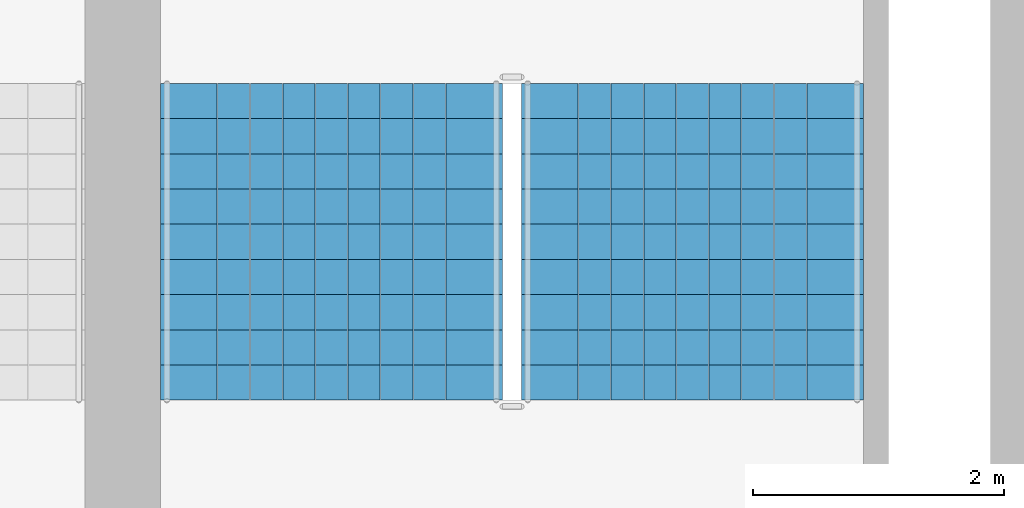
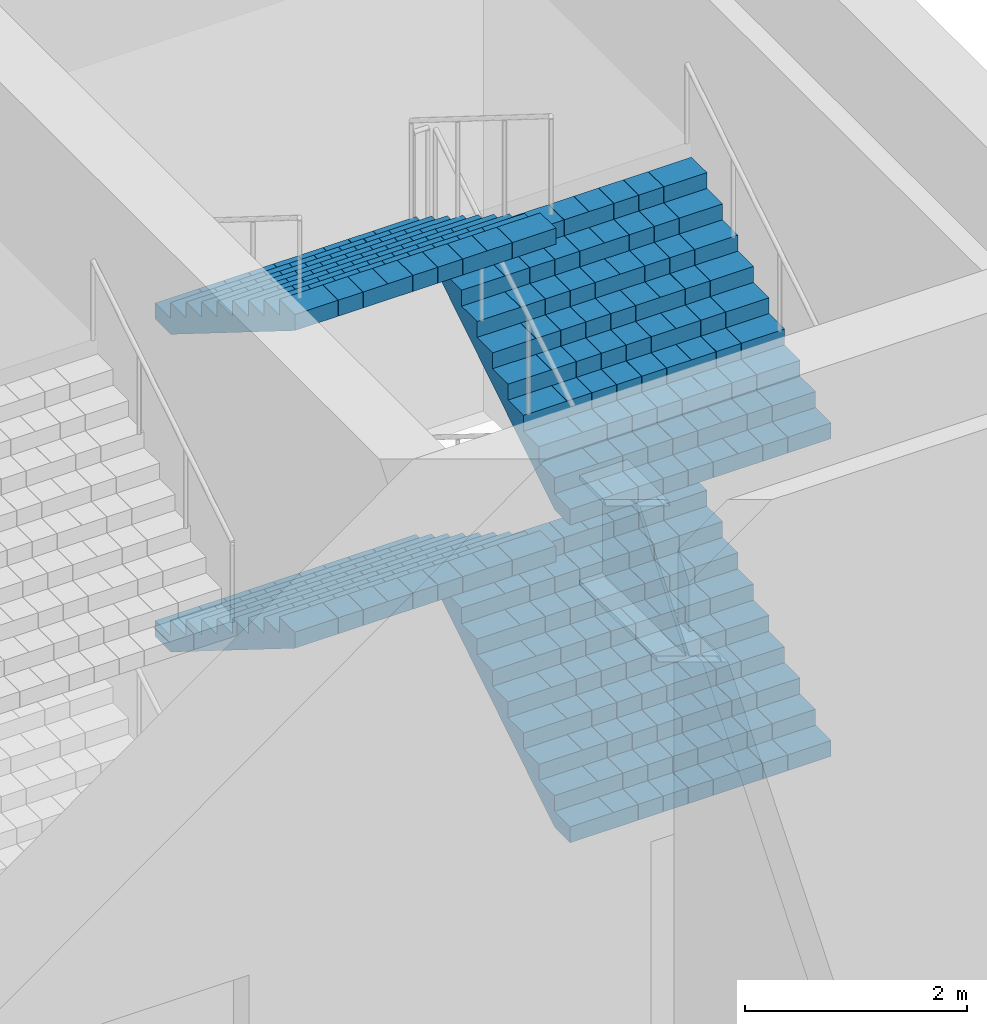
# One storey, part 53 of 62: 4 stair flights, 1 element without a shape of its own.
"""IFC4 building model written with IfcOpenShell, lengths in metres."""

import ifcopenshell
import ifcopenshell.guid

model = None  # the IFC model being written
_history = None  # IfcOwnerHistory: only IFC2X3 demands one
_inside = {}  # id of a spatial element -> (the spatial element, [elements in it])
_under = {}  # id of a project, library or spatial element -> (it, [spatial elements below it])
_declared = {}  # id of a project -> (the project, [libraries it declares])
_typed = {}  # id of a type object -> (the type object, [elements of that type])
_made_of = {}  # id of a material, layer set ... -> (it, [elements and type objects made of it])


def new_model(schema):
    """Start an empty IFC model of exactly this schema.

    Asked for "IFC4X3", IfcOpenShell would pick the latest addendum, in which some entities
    have other attributes; the version numbers below select the first issue.
    IFC2X3 requires an IfcOwnerHistory on every rooted entity: one is made here for all.
    """
    global model, _history
    if schema == "IFC4X3":
        model = ifcopenshell.file(schema_version=(4, 3, 0, 0))
    else:
        model = ifcopenshell.file(schema=schema)
    _inside.clear()
    _under.clear()
    _declared.clear()
    _typed.clear()
    _made_of.clear()
    _history = None
    if model.schema == "IFC2X3":
        org = make("IfcOrganization", Name="unknown")
        user = make(
            "IfcPersonAndOrganization",
            ThePerson=make("IfcPerson", FamilyName="unknown"),
            TheOrganization=org,
        )
        app = make(
            "IfcApplication",
            ApplicationDeveloper=org,
            Version="unknown",
            ApplicationFullName="unknown",
            ApplicationIdentifier="unknown",
        )
        _history = make(
            "IfcOwnerHistory",
            OwningUser=user,
            OwningApplication=app,
            ChangeAction="ADDED",
            CreationDate=0,
        )
    return model


def make(cls, **values):
    """One entity of the class cls with the attributes given. An attribute that is None is left unset."""
    return model.create_entity(
        cls, **{name: value for name, value in values.items() if value is not None}
    )


def rooted(cls, **values):
    """An entity with a GlobalId (a new one), such as an element, a storey or a relation."""
    return make(cls, GlobalId=ifcopenshell.guid.new(), OwnerHistory=_history, **values)


def si_unit(unit_type, name, prefix=None):
    """IfcSIUnit, for example si_unit("LENGTHUNIT", "METRE", prefix="MILLI")."""
    return make("IfcSIUnit", UnitType=unit_type, Prefix=prefix, Name=name)


def assignment(units):
    """IfcUnitAssignment: the units of a project."""
    return None if units is None else make("IfcUnitAssignment", Units=units)


def point(xyz):
    """IfcCartesianPoint."""
    return None if xyz is None else make("IfcCartesianPoint", Coordinates=xyz)


def direction(xyz):
    """IfcDirection."""
    return None if xyz is None else make("IfcDirection", DirectionRatios=xyz)


def frame(location, z_axis=None, x_axis=None):
    """IfcAxis2Placement3D, a coordinate frame: its origin and axes. An axis left out is left unset."""
    return make(
        "IfcAxis2Placement3D",
        Location=point(location),
        Axis=direction(z_axis),
        RefDirection=direction(x_axis),
    )


def origin():
    """The frame at (0, 0, 0) with its axes left unset."""
    return frame((0.0, 0.0, 0.0))


def place(relative_to, where):
    """IfcLocalPlacement: puts the frame where relative to a parent placement (None: the world)."""
    return make(
        "IfcLocalPlacement", PlacementRelTo=relative_to, RelativePlacement=where
    )


def context(
    kind, dimensions, precision=None, world=None, true_north=None, identifier=None
):
    """IfcGeometricRepresentationContext, for example the 3D "Model" context."""
    return make(
        "IfcGeometricRepresentationContext",
        ContextIdentifier=identifier,
        ContextType=kind,
        CoordinateSpaceDimension=dimensions,
        Precision=precision,
        WorldCoordinateSystem=world,
        TrueNorth=true_north,
    )


def subcontext(parent, identifier, kind, view, scale=None):
    """IfcGeometricRepresentationSubContext, for example "Body" below "Model"."""
    return make(
        "IfcGeometricRepresentationSubContext",
        ContextIdentifier=identifier,
        ContextType=kind,
        ParentContext=parent,
        TargetScale=scale,
        TargetView=view,
    )


def project(units=None, contexts=None):
    """IfcProject with its units and contexts."""
    return rooted(
        "IfcProject",
        Name="project",
        RepresentationContexts=contexts,
        UnitsInContext=assignment(units),
    )


def spatial(cls, under=None, at=None, **own):
    """A site, building, storey or space (cls), placed at a placement, below another one or the project."""
    s = rooted(cls, ObjectPlacement=at, **own)
    if under is not None:
        _under.setdefault(under.id(), (under, []))[1].append(s)
    return s


def polyline(points):
    """IfcPolyline through the points."""
    return make("IfcPolyline", Points=[point(p) for p in points])


def outline(outer, holes=None, kind="AREA"):
    """IfcArbitraryClosedProfileDef: a profile drawn as a closed curve; with holes, ...WithVoids."""
    if holes is None:
        return make("IfcArbitraryClosedProfileDef", ProfileType=kind, OuterCurve=outer)
    return make(
        "IfcArbitraryProfileDefWithVoids",
        ProfileType=kind,
        OuterCurve=outer,
        InnerCurves=holes,
    )


def extrude(swept, where, along, depth):
    """IfcExtrudedAreaSolid: the profile swept, set in the frame where, extruded along a direction by depth."""
    return make(
        "IfcExtrudedAreaSolid",
        SweptArea=swept,
        Position=where,
        ExtrudedDirection=direction(along),
        Depth=depth,
    )


def shape(context_of_items, identifier, shape_type, items):
    """IfcShapeRepresentation: the items that make up one representation, for example the "Body"."""
    return make(
        "IfcShapeRepresentation",
        ContextOfItems=context_of_items,
        RepresentationIdentifier=identifier,
        RepresentationType=shape_type,
        Items=items,
    )


def material(Name=None, Category=None):
    """IfcMaterial."""
    return make("IfcMaterial", Name=Name, Category=Category)


def made_of(thing, what):
    """Note that an element or type object is made of a material, layer set ...; save() writes the relation."""
    if what is not None:
        _made_of.setdefault(what.id(), (what, []))[1].append(thing)
    return thing


def type_object(cls, material=None, **own):
    """A type object (cls), such as IfcWallType, which elements share."""
    return made_of(rooted(cls, **own), material)


def element(
    cls,
    number,
    at=None,
    inside=None,
    cuts=None,
    type_object=None,
    material=None,
    context=None,
    identifier="Body",
    shape_type=None,
    held_by="IfcProductDefinitionShape",
    body=None,
    shapes=None,
    **own,
):
    """One element of the class cls, such as IfcWall. Its Tag is "e" and its number.

    at: its placement. inside: the storey or other place that contains it. cuts: it is an
    opening in that element (IfcRelVoidsElement). A single representation is given by context,
    identifier, shape_type and body (its items); several are given by shapes. held_by: the class
    of the entity that holds the representations. save() writes the other relations.
    """
    e = rooted(cls, Tag="e%d" % number, ObjectPlacement=at, **own)
    if body is not None:
        shapes = [shape(context, identifier, shape_type, body)]
    if shapes is not None:
        e.Representation = make(held_by, Representations=shapes)
    if inside is not None:
        _inside.setdefault(inside.id(), (inside, []))[1].append(e)
    if cuts is not None:
        rooted(
            "IfcRelVoidsElement", RelatingBuildingElement=cuts, RelatedOpeningElement=e
        )
    if type_object is not None:
        _typed.setdefault(type_object.id(), (type_object, []))[1].append(e)
    return made_of(e, material)


def aggregate(whole, parts):
    """IfcRelAggregates: a whole, such as a stair, and the parts it consists of."""
    return rooted("IfcRelAggregates", RelatingObject=whole, RelatedObjects=parts)


def save(model, path):
    """Write the relations noted so far, then the file.

    IfcRelAggregates (storeys below a building ...), IfcRelContainedInSpatialStructure (elements
    in a storey), IfcRelDefinesByType, IfcRelAssociatesMaterial and IfcRelDeclares: one each for
    every whole, place, type object, material and project.
    """
    for whole, parts in _under.values():
        aggregate(whole, parts)
    for where, things in _inside.values():
        rooted(
            "IfcRelContainedInSpatialStructure",
            RelatedElements=things,
            RelatingStructure=where,
        )
    for kind, things in _typed.values():
        rooted("IfcRelDefinesByType", RelatedObjects=things, RelatingType=kind)
    for what, things in _made_of.values():
        rooted("IfcRelAssociatesMaterial", RelatedObjects=things, RelatingMaterial=what)
    for by, libraries in _declared.values():
        rooted("IfcRelDeclares", RelatingContext=by, RelatedDefinitions=libraries)
    model.write(path)


model = new_model("IFC4")

# Units and contexts
model_context = context("Model", 3, precision=1e-05, world=origin(), true_north=direction((0.0, 1.0)))
body_context = subcontext(model_context, "Body", "Model", "MODEL_VIEW")
ifc_project = project(units=[si_unit("LENGTHUNIT", "METRE"), si_unit("AREAUNIT", "SQUARE_METRE"), si_unit("VOLUMEUNIT", "CUBIC_METRE"), si_unit("PLANEANGLEUNIT", "RADIAN"), si_unit("MASSUNIT", "GRAM", prefix="KILO")], contexts=[model_context])

# Site, building, storey
site_placement = place(None, origin())
site = spatial("IfcSite", under=ifc_project, at=site_placement, CompositionType="ELEMENT")
building_placement = place(site_placement, origin())
building = spatial("IfcBuilding", under=site, at=building_placement, Name="Corbelhall Arena Tower", CompositionType="ELEMENT")
storey_placement = place(building_placement, frame((0.0, 0.0, 12.0)))
storey = spatial("IfcBuildingStorey", under=building, at=storey_placement, Name="L01", CompositionType="ELEMENT", Elevation=12.0)

# Stair, stair flights
ifc_material = material(Name="Reinforced concrete C40/50", Category="concrete")
stair_type = type_object("IfcStairType", Name="AR-EXIT-STAIR", PredefinedType="HALF_TURN_STAIR", material=ifc_material)
stair_placement = place(storey_placement, origin())
stair = element("IfcStair", 1, at=stair_placement, inside=storey, type_object=stair_type, Name="L01 exit stair AS2", PredefinedType="HALF_TURN_STAIR")
stair_flight_type = type_object("IfcStairFlightType", Name="AR-EXIT-FLIGHT", PredefinedType="STRAIGHT", material=ifc_material)
stair_flight_1_placement = place(storey_placement, frame((45.030029296875, 27.320068359375, 0.0), z_axis=(0.0, 0.0, 1.0), x_axis=(0.0, 1.0, 0.0)))
stair_flight_1 = element("IfcStairFlight", 2, at=stair_flight_1_placement, type_object=stair_flight_type, Name="AS2 flight 1", NumberOfRisers=10, NumberOfTreads=9, PredefinedType="STRAIGHT", RiserHeight=0.175, TreadLength=0.28, context=body_context, shape_type="SweptSolid", body=[
    extrude(outline(polyline([(0.0, 0.0), (0.0, 0.175048828125), (0.280029296875, 0.175048828125), (0.280029296875, 0.35009765625), (0.56005859375, 0.35009765625), (0.56005859375, 0.52490234375), (0.840087890625, 0.52490234375), (0.840087890625, 0.699951171875), (1.1201171875, 0.699951171875), (1.1201171875, 0.875), (1.39990234375, 0.875), (1.39990234375, 1.050048828125), (1.679931640625, 1.050048828125), (1.679931640625, 1.22509765625), (1.9599609375, 1.22509765625), (1.9599609375, 1.39990234375), (2.239990234375, 1.39990234375), (2.239990234375, 1.574951171875), (2.52001953125, 1.574951171875), (2.52001953125, 1.75), (2.52001953125, 1.398193359375), (0.28271484375, 0.0), (0.0, 0.0)])), frame((0.0, 1.35986328125, 0.0), z_axis=(0.0, -1.0, 0.0), x_axis=(1.0, 0.0, 0.0)), (0.0, 0.0, 1.0), 0.449951171875),
    extrude(outline(polyline([(0.0, 0.0), (0.0, 0.175048828125), (0.280029296875, 0.175048828125), (0.280029296875, 0.35009765625), (0.56005859375, 0.35009765625), (0.56005859375, 0.52490234375), (0.840087890625, 0.52490234375), (0.840087890625, 0.699951171875), (1.1201171875, 0.699951171875), (1.1201171875, 0.875), (1.39990234375, 0.875), (1.39990234375, 1.050048828125), (1.679931640625, 1.050048828125), (1.679931640625, 1.22509765625), (1.9599609375, 1.22509765625), (1.9599609375, 1.39990234375), (2.239990234375, 1.39990234375), (2.239990234375, 1.574951171875), (2.52001953125, 1.574951171875), (2.52001953125, 1.75), (2.52001953125, 1.398193359375), (0.28271484375, 0.0), (0.0, 0.0)])), frame((0.0, 0.906005859375, 0.0), z_axis=(0.0, -1.0, 0.0), x_axis=(1.0, 0.0, 0.0)), (0.0, 0.0, 1.0), 0.25537109375),
    extrude(outline(polyline([(0.0, 0.0), (0.0, 0.175048828125), (0.280029296875, 0.175048828125), (0.280029296875, 0.35009765625), (0.56005859375, 0.35009765625), (0.56005859375, 0.52490234375), (0.840087890625, 0.52490234375), (0.840087890625, 0.699951171875), (1.1201171875, 0.699951171875), (1.1201171875, 0.875), (1.39990234375, 0.875), (1.39990234375, 1.050048828125), (1.679931640625, 1.050048828125), (1.679931640625, 1.22509765625), (1.9599609375, 1.22509765625), (1.9599609375, 1.39990234375), (2.239990234375, 1.39990234375), (2.239990234375, 1.574951171875), (2.52001953125, 1.574951171875), (2.52001953125, 1.75), (2.52001953125, 1.398193359375), (0.28271484375, 0.0), (0.0, 0.0)])), frame((0.0, 0.646484375, 0.0), z_axis=(0.0, -1.0, 0.0), x_axis=(1.0, 0.0, 0.0)), (0.0, 0.0, 1.0), 0.25537109375),
    extrude(outline(polyline([(0.0, 0.0), (0.0, 0.175048828125), (0.280029296875, 0.175048828125), (0.280029296875, 0.35009765625), (0.56005859375, 0.35009765625), (0.56005859375, 0.52490234375), (0.840087890625, 0.52490234375), (0.840087890625, 0.699951171875), (1.1201171875, 0.699951171875), (1.1201171875, 0.875), (1.39990234375, 0.875), (1.39990234375, 1.050048828125), (1.679931640625, 1.050048828125), (1.679931640625, 1.22509765625), (1.9599609375, 1.22509765625), (1.9599609375, 1.39990234375), (2.239990234375, 1.39990234375), (2.239990234375, 1.574951171875), (2.52001953125, 1.574951171875), (2.52001953125, 1.75), (2.52001953125, 1.398193359375), (0.28271484375, 0.0), (0.0, 0.0)])), frame((0.0, 0.38720703125, 0.0), z_axis=(0.0, -1.0, 0.0), x_axis=(1.0, 0.0, 0.0)), (0.0, 0.0, 1.0), 0.25537109375),
    extrude(outline(polyline([(0.0, 0.0), (0.0, 0.175048828125), (0.280029296875, 0.175048828125), (0.280029296875, 0.35009765625), (0.56005859375, 0.35009765625), (0.56005859375, 0.52490234375), (0.840087890625, 0.52490234375), (0.840087890625, 0.699951171875), (1.1201171875, 0.699951171875), (1.1201171875, 0.875), (1.39990234375, 0.875), (1.39990234375, 1.050048828125), (1.679931640625, 1.050048828125), (1.679931640625, 1.22509765625), (1.9599609375, 1.22509765625), (1.9599609375, 1.39990234375), (2.239990234375, 1.39990234375), (2.239990234375, 1.574951171875), (2.52001953125, 1.574951171875), (2.52001953125, 1.75), (2.52001953125, 1.398193359375), (0.28271484375, 0.0), (0.0, 0.0)])), frame((0.0, 0.127685546875, 0.0), z_axis=(0.0, -1.0, 0.0), x_axis=(1.0, 0.0, 0.0)), (0.0, 0.0, 1.0), 0.25537109375),
    extrude(outline(polyline([(0.0, 0.0), (0.0, 0.175048828125), (0.280029296875, 0.175048828125), (0.280029296875, 0.35009765625), (0.56005859375, 0.35009765625), (0.56005859375, 0.52490234375), (0.840087890625, 0.52490234375), (0.840087890625, 0.699951171875), (1.1201171875, 0.699951171875), (1.1201171875, 0.875), (1.39990234375, 0.875), (1.39990234375, 1.050048828125), (1.679931640625, 1.050048828125), (1.679931640625, 1.22509765625), (1.9599609375, 1.22509765625), (1.9599609375, 1.39990234375), (2.239990234375, 1.39990234375), (2.239990234375, 1.574951171875), (2.52001953125, 1.574951171875), (2.52001953125, 1.75), (2.52001953125, 1.398193359375), (0.28271484375, 0.0), (0.0, 0.0)])), frame((0.0, -0.131591796875, 0.0), z_axis=(0.0, -1.0, 0.0), x_axis=(1.0, 0.0, 0.0)), (0.0, 0.0, 1.0), 0.25537109375),
    extrude(outline(polyline([(0.0, 0.0), (0.0, 0.175048828125), (0.280029296875, 0.175048828125), (0.280029296875, 0.35009765625), (0.56005859375, 0.35009765625), (0.56005859375, 0.52490234375), (0.840087890625, 0.52490234375), (0.840087890625, 0.699951171875), (1.1201171875, 0.699951171875), (1.1201171875, 0.875), (1.39990234375, 0.875), (1.39990234375, 1.050048828125), (1.679931640625, 1.050048828125), (1.679931640625, 1.22509765625), (1.9599609375, 1.22509765625), (1.9599609375, 1.39990234375), (2.239990234375, 1.39990234375), (2.239990234375, 1.574951171875), (2.52001953125, 1.574951171875), (2.52001953125, 1.75), (2.52001953125, 1.398193359375), (0.28271484375, 0.0), (0.0, 0.0)])), frame((0.0, -0.39111328125, 0.0), z_axis=(0.0, -1.0, 0.0), x_axis=(1.0, 0.0, 0.0)), (0.0, 0.0, 1.0), 0.25537109375),
    extrude(outline(polyline([(0.0, 0.0), (0.0, 0.175048828125), (0.280029296875, 0.175048828125), (0.280029296875, 0.35009765625), (0.56005859375, 0.35009765625), (0.56005859375, 0.52490234375), (0.840087890625, 0.52490234375), (0.840087890625, 0.699951171875), (1.1201171875, 0.699951171875), (1.1201171875, 0.875), (1.39990234375, 0.875), (1.39990234375, 1.050048828125), (1.679931640625, 1.050048828125), (1.679931640625, 1.22509765625), (1.9599609375, 1.22509765625), (1.9599609375, 1.39990234375), (2.239990234375, 1.39990234375), (2.239990234375, 1.574951171875), (2.52001953125, 1.574951171875), (2.52001953125, 1.75), (2.52001953125, 1.398193359375), (0.28271484375, 0.0), (0.0, 0.0)])), frame((0.0, -0.650634765625, 0.0), z_axis=(0.0, -1.0, 0.0), x_axis=(1.0, 0.0, 0.0)), (0.0, 0.0, 1.0), 0.25537109375),
    extrude(outline(polyline([(0.0, 0.0), (0.0, 0.175048828125), (0.280029296875, 0.175048828125), (0.280029296875, 0.35009765625), (0.56005859375, 0.35009765625), (0.56005859375, 0.52490234375), (0.840087890625, 0.52490234375), (0.840087890625, 0.699951171875), (1.1201171875, 0.699951171875), (1.1201171875, 0.875), (1.39990234375, 0.875), (1.39990234375, 1.050048828125), (1.679931640625, 1.050048828125), (1.679931640625, 1.22509765625), (1.9599609375, 1.22509765625), (1.9599609375, 1.39990234375), (2.239990234375, 1.39990234375), (2.239990234375, 1.574951171875), (2.52001953125, 1.574951171875), (2.52001953125, 1.75), (2.52001953125, 1.398193359375), (0.28271484375, 0.0), (0.0, 0.0)])), frame((0.0, -0.909912109375, 0.0), z_axis=(0.0, -1.0, 0.0), x_axis=(1.0, 0.0, 0.0)), (0.0, 0.0, 1.0), 0.449951171875),
])
stair_flight_2_placement = place(storey_placement, frame((42.159912109375, 29.840087890625, 1.75), z_axis=(0.0, 0.0, 1.0), x_axis=(0.0, -1.0, 0.0)))
stair_flight_2 = element("IfcStairFlight", 3, at=stair_flight_2_placement, type_object=stair_flight_type, Name="AS2 flight 2", NumberOfRisers=10, NumberOfTreads=9, PredefinedType="STRAIGHT", RiserHeight=0.175, TreadLength=0.28, context=body_context, shape_type="SweptSolid", body=[
    extrude(outline(polyline([(0.0, 0.0), (0.0, 0.175048828125), (0.280029296875, 0.175048828125), (0.280029296875, 0.35009765625), (0.56005859375, 0.35009765625), (0.56005859375, 0.52490234375), (0.840087890625, 0.52490234375), (0.840087890625, 0.699951171875), (1.1201171875, 0.699951171875), (1.1201171875, 0.875), (1.39990234375, 0.875), (1.39990234375, 1.050048828125), (1.679931640625, 1.050048828125), (1.679931640625, 1.22509765625), (1.9599609375, 1.22509765625), (1.9599609375, 1.39990234375), (2.239990234375, 1.39990234375), (2.239990234375, 1.574951171875), (2.52001953125, 1.574951171875), (2.52001953125, 1.75), (2.52001953125, 1.398193359375), (0.28271484375, 0.0), (0.0, 0.0)])), frame((0.0, 1.35986328125, 0.0), z_axis=(0.0, -1.0, 0.0), x_axis=(1.0, 0.0, 0.0)), (0.0, 0.0, 1.0), 0.449951171875),
    extrude(outline(polyline([(0.0, 0.0), (0.0, 0.175048828125), (0.280029296875, 0.175048828125), (0.280029296875, 0.35009765625), (0.56005859375, 0.35009765625), (0.56005859375, 0.52490234375), (0.840087890625, 0.52490234375), (0.840087890625, 0.699951171875), (1.1201171875, 0.699951171875), (1.1201171875, 0.875), (1.39990234375, 0.875), (1.39990234375, 1.050048828125), (1.679931640625, 1.050048828125), (1.679931640625, 1.22509765625), (1.9599609375, 1.22509765625), (1.9599609375, 1.39990234375), (2.239990234375, 1.39990234375), (2.239990234375, 1.574951171875), (2.52001953125, 1.574951171875), (2.52001953125, 1.75), (2.52001953125, 1.398193359375), (0.28271484375, 0.0), (0.0, 0.0)])), frame((0.0, 0.906005859375, 0.0), z_axis=(0.0, -1.0, 0.0), x_axis=(1.0, 0.0, 0.0)), (0.0, 0.0, 1.0), 0.25537109375),
    extrude(outline(polyline([(0.0, 0.0), (0.0, 0.175048828125), (0.280029296875, 0.175048828125), (0.280029296875, 0.35009765625), (0.56005859375, 0.35009765625), (0.56005859375, 0.52490234375), (0.840087890625, 0.52490234375), (0.840087890625, 0.699951171875), (1.1201171875, 0.699951171875), (1.1201171875, 0.875), (1.39990234375, 0.875), (1.39990234375, 1.050048828125), (1.679931640625, 1.050048828125), (1.679931640625, 1.22509765625), (1.9599609375, 1.22509765625), (1.9599609375, 1.39990234375), (2.239990234375, 1.39990234375), (2.239990234375, 1.574951171875), (2.52001953125, 1.574951171875), (2.52001953125, 1.75), (2.52001953125, 1.398193359375), (0.28271484375, 0.0), (0.0, 0.0)])), frame((0.0, 0.646484375, 0.0), z_axis=(0.0, -1.0, 0.0), x_axis=(1.0, 0.0, 0.0)), (0.0, 0.0, 1.0), 0.25537109375),
    extrude(outline(polyline([(0.0, 0.0), (0.0, 0.175048828125), (0.280029296875, 0.175048828125), (0.280029296875, 0.35009765625), (0.56005859375, 0.35009765625), (0.56005859375, 0.52490234375), (0.840087890625, 0.52490234375), (0.840087890625, 0.699951171875), (1.1201171875, 0.699951171875), (1.1201171875, 0.875), (1.39990234375, 0.875), (1.39990234375, 1.050048828125), (1.679931640625, 1.050048828125), (1.679931640625, 1.22509765625), (1.9599609375, 1.22509765625), (1.9599609375, 1.39990234375), (2.239990234375, 1.39990234375), (2.239990234375, 1.574951171875), (2.52001953125, 1.574951171875), (2.52001953125, 1.75), (2.52001953125, 1.398193359375), (0.28271484375, 0.0), (0.0, 0.0)])), frame((0.0, 0.38720703125, 0.0), z_axis=(0.0, -1.0, 0.0), x_axis=(1.0, 0.0, 0.0)), (0.0, 0.0, 1.0), 0.25537109375),
    extrude(outline(polyline([(0.0, 0.0), (0.0, 0.175048828125), (0.280029296875, 0.175048828125), (0.280029296875, 0.35009765625), (0.56005859375, 0.35009765625), (0.56005859375, 0.52490234375), (0.840087890625, 0.52490234375), (0.840087890625, 0.699951171875), (1.1201171875, 0.699951171875), (1.1201171875, 0.875), (1.39990234375, 0.875), (1.39990234375, 1.050048828125), (1.679931640625, 1.050048828125), (1.679931640625, 1.22509765625), (1.9599609375, 1.22509765625), (1.9599609375, 1.39990234375), (2.239990234375, 1.39990234375), (2.239990234375, 1.574951171875), (2.52001953125, 1.574951171875), (2.52001953125, 1.75), (2.52001953125, 1.398193359375), (0.28271484375, 0.0), (0.0, 0.0)])), frame((0.0, 0.127685546875, 0.0), z_axis=(0.0, -1.0, 0.0), x_axis=(1.0, 0.0, 0.0)), (0.0, 0.0, 1.0), 0.25537109375),
    extrude(outline(polyline([(0.0, 0.0), (0.0, 0.175048828125), (0.280029296875, 0.175048828125), (0.280029296875, 0.35009765625), (0.56005859375, 0.35009765625), (0.56005859375, 0.52490234375), (0.840087890625, 0.52490234375), (0.840087890625, 0.699951171875), (1.1201171875, 0.699951171875), (1.1201171875, 0.875), (1.39990234375, 0.875), (1.39990234375, 1.050048828125), (1.679931640625, 1.050048828125), (1.679931640625, 1.22509765625), (1.9599609375, 1.22509765625), (1.9599609375, 1.39990234375), (2.239990234375, 1.39990234375), (2.239990234375, 1.574951171875), (2.52001953125, 1.574951171875), (2.52001953125, 1.75), (2.52001953125, 1.398193359375), (0.28271484375, 0.0), (0.0, 0.0)])), frame((0.0, -0.131591796875, 0.0), z_axis=(0.0, -1.0, 0.0), x_axis=(1.0, 0.0, 0.0)), (0.0, 0.0, 1.0), 0.25537109375),
    extrude(outline(polyline([(0.0, 0.0), (0.0, 0.175048828125), (0.280029296875, 0.175048828125), (0.280029296875, 0.35009765625), (0.56005859375, 0.35009765625), (0.56005859375, 0.52490234375), (0.840087890625, 0.52490234375), (0.840087890625, 0.699951171875), (1.1201171875, 0.699951171875), (1.1201171875, 0.875), (1.39990234375, 0.875), (1.39990234375, 1.050048828125), (1.679931640625, 1.050048828125), (1.679931640625, 1.22509765625), (1.9599609375, 1.22509765625), (1.9599609375, 1.39990234375), (2.239990234375, 1.39990234375), (2.239990234375, 1.574951171875), (2.52001953125, 1.574951171875), (2.52001953125, 1.75), (2.52001953125, 1.398193359375), (0.28271484375, 0.0), (0.0, 0.0)])), frame((0.0, -0.39111328125, 0.0), z_axis=(0.0, -1.0, 0.0), x_axis=(1.0, 0.0, 0.0)), (0.0, 0.0, 1.0), 0.25537109375),
    extrude(outline(polyline([(0.0, 0.0), (0.0, 0.175048828125), (0.280029296875, 0.175048828125), (0.280029296875, 0.35009765625), (0.56005859375, 0.35009765625), (0.56005859375, 0.52490234375), (0.840087890625, 0.52490234375), (0.840087890625, 0.699951171875), (1.1201171875, 0.699951171875), (1.1201171875, 0.875), (1.39990234375, 0.875), (1.39990234375, 1.050048828125), (1.679931640625, 1.050048828125), (1.679931640625, 1.22509765625), (1.9599609375, 1.22509765625), (1.9599609375, 1.39990234375), (2.239990234375, 1.39990234375), (2.239990234375, 1.574951171875), (2.52001953125, 1.574951171875), (2.52001953125, 1.75), (2.52001953125, 1.398193359375), (0.28271484375, 0.0), (0.0, 0.0)])), frame((0.0, -0.650634765625, 0.0), z_axis=(0.0, -1.0, 0.0), x_axis=(1.0, 0.0, 0.0)), (0.0, 0.0, 1.0), 0.25537109375),
    extrude(outline(polyline([(0.0, 0.0), (0.0, 0.175048828125), (0.280029296875, 0.175048828125), (0.280029296875, 0.35009765625), (0.56005859375, 0.35009765625), (0.56005859375, 0.52490234375), (0.840087890625, 0.52490234375), (0.840087890625, 0.699951171875), (1.1201171875, 0.699951171875), (1.1201171875, 0.875), (1.39990234375, 0.875), (1.39990234375, 1.050048828125), (1.679931640625, 1.050048828125), (1.679931640625, 1.22509765625), (1.9599609375, 1.22509765625), (1.9599609375, 1.39990234375), (2.239990234375, 1.39990234375), (2.239990234375, 1.574951171875), (2.52001953125, 1.574951171875), (2.52001953125, 1.75), (2.52001953125, 1.398193359375), (0.28271484375, 0.0), (0.0, 0.0)])), frame((0.0, -0.909912109375, 0.0), z_axis=(0.0, -1.0, 0.0), x_axis=(1.0, 0.0, 0.0)), (0.0, 0.0, 1.0), 0.449951171875),
])
stair_flight_3_placement = place(storey_placement, frame((45.030029296875, 27.320068359375, 3.5), z_axis=(0.0, 0.0, 1.0), x_axis=(0.0, 1.0, 0.0)))
stair_flight_3 = element("IfcStairFlight", 4, at=stair_flight_3_placement, type_object=stair_flight_type, Name="AS2 flight 3", NumberOfRisers=10, NumberOfTreads=9, PredefinedType="STRAIGHT", RiserHeight=0.175, TreadLength=0.28, context=body_context, shape_type="SweptSolid", body=[
    extrude(outline(polyline([(0.0, 0.0), (0.0, 0.175048828125), (0.280029296875, 0.175048828125), (0.280029296875, 0.35009765625), (0.56005859375, 0.35009765625), (0.56005859375, 0.52490234375), (0.840087890625, 0.52490234375), (0.840087890625, 0.699951171875), (1.1201171875, 0.699951171875), (1.1201171875, 0.875), (1.39990234375, 0.875), (1.39990234375, 1.050048828125), (1.679931640625, 1.050048828125), (1.679931640625, 1.22509765625), (1.9599609375, 1.22509765625), (1.9599609375, 1.39990234375), (2.239990234375, 1.39990234375), (2.239990234375, 1.574951171875), (2.52001953125, 1.574951171875), (2.52001953125, 1.75), (2.52001953125, 1.398193359375), (0.28271484375, 0.0), (0.0, 0.0)])), frame((0.0, 1.35986328125, 0.0), z_axis=(0.0, -1.0, 0.0), x_axis=(1.0, 0.0, 0.0)), (0.0, 0.0, 1.0), 0.449951171875),
    extrude(outline(polyline([(0.0, 0.0), (0.0, 0.175048828125), (0.280029296875, 0.175048828125), (0.280029296875, 0.35009765625), (0.56005859375, 0.35009765625), (0.56005859375, 0.52490234375), (0.840087890625, 0.52490234375), (0.840087890625, 0.699951171875), (1.1201171875, 0.699951171875), (1.1201171875, 0.875), (1.39990234375, 0.875), (1.39990234375, 1.050048828125), (1.679931640625, 1.050048828125), (1.679931640625, 1.22509765625), (1.9599609375, 1.22509765625), (1.9599609375, 1.39990234375), (2.239990234375, 1.39990234375), (2.239990234375, 1.574951171875), (2.52001953125, 1.574951171875), (2.52001953125, 1.75), (2.52001953125, 1.398193359375), (0.28271484375, 0.0), (0.0, 0.0)])), frame((0.0, 0.906005859375, 0.0), z_axis=(0.0, -1.0, 0.0), x_axis=(1.0, 0.0, 0.0)), (0.0, 0.0, 1.0), 0.25537109375),
    extrude(outline(polyline([(0.0, 0.0), (0.0, 0.175048828125), (0.280029296875, 0.175048828125), (0.280029296875, 0.35009765625), (0.56005859375, 0.35009765625), (0.56005859375, 0.52490234375), (0.840087890625, 0.52490234375), (0.840087890625, 0.699951171875), (1.1201171875, 0.699951171875), (1.1201171875, 0.875), (1.39990234375, 0.875), (1.39990234375, 1.050048828125), (1.679931640625, 1.050048828125), (1.679931640625, 1.22509765625), (1.9599609375, 1.22509765625), (1.9599609375, 1.39990234375), (2.239990234375, 1.39990234375), (2.239990234375, 1.574951171875), (2.52001953125, 1.574951171875), (2.52001953125, 1.75), (2.52001953125, 1.398193359375), (0.28271484375, 0.0), (0.0, 0.0)])), frame((0.0, 0.646484375, 0.0), z_axis=(0.0, -1.0, 0.0), x_axis=(1.0, 0.0, 0.0)), (0.0, 0.0, 1.0), 0.25537109375),
    extrude(outline(polyline([(0.0, 0.0), (0.0, 0.175048828125), (0.280029296875, 0.175048828125), (0.280029296875, 0.35009765625), (0.56005859375, 0.35009765625), (0.56005859375, 0.52490234375), (0.840087890625, 0.52490234375), (0.840087890625, 0.699951171875), (1.1201171875, 0.699951171875), (1.1201171875, 0.875), (1.39990234375, 0.875), (1.39990234375, 1.050048828125), (1.679931640625, 1.050048828125), (1.679931640625, 1.22509765625), (1.9599609375, 1.22509765625), (1.9599609375, 1.39990234375), (2.239990234375, 1.39990234375), (2.239990234375, 1.574951171875), (2.52001953125, 1.574951171875), (2.52001953125, 1.75), (2.52001953125, 1.398193359375), (0.28271484375, 0.0), (0.0, 0.0)])), frame((0.0, 0.38720703125, 0.0), z_axis=(0.0, -1.0, 0.0), x_axis=(1.0, 0.0, 0.0)), (0.0, 0.0, 1.0), 0.25537109375),
    extrude(outline(polyline([(0.0, 0.0), (0.0, 0.175048828125), (0.280029296875, 0.175048828125), (0.280029296875, 0.35009765625), (0.56005859375, 0.35009765625), (0.56005859375, 0.52490234375), (0.840087890625, 0.52490234375), (0.840087890625, 0.699951171875), (1.1201171875, 0.699951171875), (1.1201171875, 0.875), (1.39990234375, 0.875), (1.39990234375, 1.050048828125), (1.679931640625, 1.050048828125), (1.679931640625, 1.22509765625), (1.9599609375, 1.22509765625), (1.9599609375, 1.39990234375), (2.239990234375, 1.39990234375), (2.239990234375, 1.574951171875), (2.52001953125, 1.574951171875), (2.52001953125, 1.75), (2.52001953125, 1.398193359375), (0.28271484375, 0.0), (0.0, 0.0)])), frame((0.0, 0.127685546875, 0.0), z_axis=(0.0, -1.0, 0.0), x_axis=(1.0, 0.0, 0.0)), (0.0, 0.0, 1.0), 0.25537109375),
    extrude(outline(polyline([(0.0, 0.0), (0.0, 0.175048828125), (0.280029296875, 0.175048828125), (0.280029296875, 0.35009765625), (0.56005859375, 0.35009765625), (0.56005859375, 0.52490234375), (0.840087890625, 0.52490234375), (0.840087890625, 0.699951171875), (1.1201171875, 0.699951171875), (1.1201171875, 0.875), (1.39990234375, 0.875), (1.39990234375, 1.050048828125), (1.679931640625, 1.050048828125), (1.679931640625, 1.22509765625), (1.9599609375, 1.22509765625), (1.9599609375, 1.39990234375), (2.239990234375, 1.39990234375), (2.239990234375, 1.574951171875), (2.52001953125, 1.574951171875), (2.52001953125, 1.75), (2.52001953125, 1.398193359375), (0.28271484375, 0.0), (0.0, 0.0)])), frame((0.0, -0.131591796875, 0.0), z_axis=(0.0, -1.0, 0.0), x_axis=(1.0, 0.0, 0.0)), (0.0, 0.0, 1.0), 0.25537109375),
    extrude(outline(polyline([(0.0, 0.0), (0.0, 0.175048828125), (0.280029296875, 0.175048828125), (0.280029296875, 0.35009765625), (0.56005859375, 0.35009765625), (0.56005859375, 0.52490234375), (0.840087890625, 0.52490234375), (0.840087890625, 0.699951171875), (1.1201171875, 0.699951171875), (1.1201171875, 0.875), (1.39990234375, 0.875), (1.39990234375, 1.050048828125), (1.679931640625, 1.050048828125), (1.679931640625, 1.22509765625), (1.9599609375, 1.22509765625), (1.9599609375, 1.39990234375), (2.239990234375, 1.39990234375), (2.239990234375, 1.574951171875), (2.52001953125, 1.574951171875), (2.52001953125, 1.75), (2.52001953125, 1.398193359375), (0.28271484375, 0.0), (0.0, 0.0)])), frame((0.0, -0.39111328125, 0.0), z_axis=(0.0, -1.0, 0.0), x_axis=(1.0, 0.0, 0.0)), (0.0, 0.0, 1.0), 0.25537109375),
    extrude(outline(polyline([(0.0, 0.0), (0.0, 0.175048828125), (0.280029296875, 0.175048828125), (0.280029296875, 0.35009765625), (0.56005859375, 0.35009765625), (0.56005859375, 0.52490234375), (0.840087890625, 0.52490234375), (0.840087890625, 0.699951171875), (1.1201171875, 0.699951171875), (1.1201171875, 0.875), (1.39990234375, 0.875), (1.39990234375, 1.050048828125), (1.679931640625, 1.050048828125), (1.679931640625, 1.22509765625), (1.9599609375, 1.22509765625), (1.9599609375, 1.39990234375), (2.239990234375, 1.39990234375), (2.239990234375, 1.574951171875), (2.52001953125, 1.574951171875), (2.52001953125, 1.75), (2.52001953125, 1.398193359375), (0.28271484375, 0.0), (0.0, 0.0)])), frame((0.0, -0.650634765625, 0.0), z_axis=(0.0, -1.0, 0.0), x_axis=(1.0, 0.0, 0.0)), (0.0, 0.0, 1.0), 0.25537109375),
    extrude(outline(polyline([(0.0, 0.0), (0.0, 0.175048828125), (0.280029296875, 0.175048828125), (0.280029296875, 0.35009765625), (0.56005859375, 0.35009765625), (0.56005859375, 0.52490234375), (0.840087890625, 0.52490234375), (0.840087890625, 0.699951171875), (1.1201171875, 0.699951171875), (1.1201171875, 0.875), (1.39990234375, 0.875), (1.39990234375, 1.050048828125), (1.679931640625, 1.050048828125), (1.679931640625, 1.22509765625), (1.9599609375, 1.22509765625), (1.9599609375, 1.39990234375), (2.239990234375, 1.39990234375), (2.239990234375, 1.574951171875), (2.52001953125, 1.574951171875), (2.52001953125, 1.75), (2.52001953125, 1.398193359375), (0.28271484375, 0.0), (0.0, 0.0)])), frame((0.0, -0.909912109375, 0.0), z_axis=(0.0, -1.0, 0.0), x_axis=(1.0, 0.0, 0.0)), (0.0, 0.0, 1.0), 0.449951171875),
])
stair_flight_4_placement = place(storey_placement, frame((42.159912109375, 29.840087890625, 5.25), z_axis=(0.0, 0.0, 1.0), x_axis=(0.0, -1.0, 0.0)))
stair_flight_4 = element("IfcStairFlight", 5, at=stair_flight_4_placement, type_object=stair_flight_type, Name="AS2 flight 4", NumberOfRisers=10, NumberOfTreads=9, PredefinedType="STRAIGHT", RiserHeight=0.175, TreadLength=0.28, context=body_context, shape_type="SweptSolid", body=[
    extrude(outline(polyline([(0.0, 0.0), (0.0, 0.175048828125), (0.280029296875, 0.175048828125), (0.280029296875, 0.35009765625), (0.56005859375, 0.35009765625), (0.56005859375, 0.52490234375), (0.840087890625, 0.52490234375), (0.840087890625, 0.699951171875), (1.1201171875, 0.699951171875), (1.1201171875, 0.875), (1.39990234375, 0.875), (1.39990234375, 1.050048828125), (1.679931640625, 1.050048828125), (1.679931640625, 1.22509765625), (1.9599609375, 1.22509765625), (1.9599609375, 1.39990234375), (2.239990234375, 1.39990234375), (2.239990234375, 1.574951171875), (2.52001953125, 1.574951171875), (2.52001953125, 1.75), (2.52001953125, 1.398193359375), (0.28271484375, 0.0), (0.0, 0.0)])), frame((0.0, 1.35986328125, 0.0), z_axis=(0.0, -1.0, 0.0), x_axis=(1.0, 0.0, 0.0)), (0.0, 0.0, 1.0), 0.449951171875),
    extrude(outline(polyline([(0.0, 0.0), (0.0, 0.175048828125), (0.280029296875, 0.175048828125), (0.280029296875, 0.35009765625), (0.56005859375, 0.35009765625), (0.56005859375, 0.52490234375), (0.840087890625, 0.52490234375), (0.840087890625, 0.699951171875), (1.1201171875, 0.699951171875), (1.1201171875, 0.875), (1.39990234375, 0.875), (1.39990234375, 1.050048828125), (1.679931640625, 1.050048828125), (1.679931640625, 1.22509765625), (1.9599609375, 1.22509765625), (1.9599609375, 1.39990234375), (2.239990234375, 1.39990234375), (2.239990234375, 1.574951171875), (2.52001953125, 1.574951171875), (2.52001953125, 1.75), (2.52001953125, 1.398193359375), (0.28271484375, 0.0), (0.0, 0.0)])), frame((0.0, 0.906005859375, 0.0), z_axis=(0.0, -1.0, 0.0), x_axis=(1.0, 0.0, 0.0)), (0.0, 0.0, 1.0), 0.25537109375),
    extrude(outline(polyline([(0.0, 0.0), (0.0, 0.175048828125), (0.280029296875, 0.175048828125), (0.280029296875, 0.35009765625), (0.56005859375, 0.35009765625), (0.56005859375, 0.52490234375), (0.840087890625, 0.52490234375), (0.840087890625, 0.699951171875), (1.1201171875, 0.699951171875), (1.1201171875, 0.875), (1.39990234375, 0.875), (1.39990234375, 1.050048828125), (1.679931640625, 1.050048828125), (1.679931640625, 1.22509765625), (1.9599609375, 1.22509765625), (1.9599609375, 1.39990234375), (2.239990234375, 1.39990234375), (2.239990234375, 1.574951171875), (2.52001953125, 1.574951171875), (2.52001953125, 1.75), (2.52001953125, 1.398193359375), (0.28271484375, 0.0), (0.0, 0.0)])), frame((0.0, 0.646484375, 0.0), z_axis=(0.0, -1.0, 0.0), x_axis=(1.0, 0.0, 0.0)), (0.0, 0.0, 1.0), 0.25537109375),
    extrude(outline(polyline([(0.0, 0.0), (0.0, 0.175048828125), (0.280029296875, 0.175048828125), (0.280029296875, 0.35009765625), (0.56005859375, 0.35009765625), (0.56005859375, 0.52490234375), (0.840087890625, 0.52490234375), (0.840087890625, 0.699951171875), (1.1201171875, 0.699951171875), (1.1201171875, 0.875), (1.39990234375, 0.875), (1.39990234375, 1.050048828125), (1.679931640625, 1.050048828125), (1.679931640625, 1.22509765625), (1.9599609375, 1.22509765625), (1.9599609375, 1.39990234375), (2.239990234375, 1.39990234375), (2.239990234375, 1.574951171875), (2.52001953125, 1.574951171875), (2.52001953125, 1.75), (2.52001953125, 1.398193359375), (0.28271484375, 0.0), (0.0, 0.0)])), frame((0.0, 0.38720703125, 0.0), z_axis=(0.0, -1.0, 0.0), x_axis=(1.0, 0.0, 0.0)), (0.0, 0.0, 1.0), 0.25537109375),
    extrude(outline(polyline([(0.0, 0.0), (0.0, 0.175048828125), (0.280029296875, 0.175048828125), (0.280029296875, 0.35009765625), (0.56005859375, 0.35009765625), (0.56005859375, 0.52490234375), (0.840087890625, 0.52490234375), (0.840087890625, 0.699951171875), (1.1201171875, 0.699951171875), (1.1201171875, 0.875), (1.39990234375, 0.875), (1.39990234375, 1.050048828125), (1.679931640625, 1.050048828125), (1.679931640625, 1.22509765625), (1.9599609375, 1.22509765625), (1.9599609375, 1.39990234375), (2.239990234375, 1.39990234375), (2.239990234375, 1.574951171875), (2.52001953125, 1.574951171875), (2.52001953125, 1.75), (2.52001953125, 1.398193359375), (0.28271484375, 0.0), (0.0, 0.0)])), frame((0.0, 0.127685546875, 0.0), z_axis=(0.0, -1.0, 0.0), x_axis=(1.0, 0.0, 0.0)), (0.0, 0.0, 1.0), 0.25537109375),
    extrude(outline(polyline([(0.0, 0.0), (0.0, 0.175048828125), (0.280029296875, 0.175048828125), (0.280029296875, 0.35009765625), (0.56005859375, 0.35009765625), (0.56005859375, 0.52490234375), (0.840087890625, 0.52490234375), (0.840087890625, 0.699951171875), (1.1201171875, 0.699951171875), (1.1201171875, 0.875), (1.39990234375, 0.875), (1.39990234375, 1.050048828125), (1.679931640625, 1.050048828125), (1.679931640625, 1.22509765625), (1.9599609375, 1.22509765625), (1.9599609375, 1.39990234375), (2.239990234375, 1.39990234375), (2.239990234375, 1.574951171875), (2.52001953125, 1.574951171875), (2.52001953125, 1.75), (2.52001953125, 1.398193359375), (0.28271484375, 0.0), (0.0, 0.0)])), frame((0.0, -0.131591796875, 0.0), z_axis=(0.0, -1.0, 0.0), x_axis=(1.0, 0.0, 0.0)), (0.0, 0.0, 1.0), 0.25537109375),
    extrude(outline(polyline([(0.0, 0.0), (0.0, 0.175048828125), (0.280029296875, 0.175048828125), (0.280029296875, 0.35009765625), (0.56005859375, 0.35009765625), (0.56005859375, 0.52490234375), (0.840087890625, 0.52490234375), (0.840087890625, 0.699951171875), (1.1201171875, 0.699951171875), (1.1201171875, 0.875), (1.39990234375, 0.875), (1.39990234375, 1.050048828125), (1.679931640625, 1.050048828125), (1.679931640625, 1.22509765625), (1.9599609375, 1.22509765625), (1.9599609375, 1.39990234375), (2.239990234375, 1.39990234375), (2.239990234375, 1.574951171875), (2.52001953125, 1.574951171875), (2.52001953125, 1.75), (2.52001953125, 1.398193359375), (0.28271484375, 0.0), (0.0, 0.0)])), frame((0.0, -0.39111328125, 0.0), z_axis=(0.0, -1.0, 0.0), x_axis=(1.0, 0.0, 0.0)), (0.0, 0.0, 1.0), 0.25537109375),
    extrude(outline(polyline([(0.0, 0.0), (0.0, 0.175048828125), (0.280029296875, 0.175048828125), (0.280029296875, 0.35009765625), (0.56005859375, 0.35009765625), (0.56005859375, 0.52490234375), (0.840087890625, 0.52490234375), (0.840087890625, 0.699951171875), (1.1201171875, 0.699951171875), (1.1201171875, 0.875), (1.39990234375, 0.875), (1.39990234375, 1.050048828125), (1.679931640625, 1.050048828125), (1.679931640625, 1.22509765625), (1.9599609375, 1.22509765625), (1.9599609375, 1.39990234375), (2.239990234375, 1.39990234375), (2.239990234375, 1.574951171875), (2.52001953125, 1.574951171875), (2.52001953125, 1.75), (2.52001953125, 1.398193359375), (0.28271484375, 0.0), (0.0, 0.0)])), frame((0.0, -0.650634765625, 0.0), z_axis=(0.0, -1.0, 0.0), x_axis=(1.0, 0.0, 0.0)), (0.0, 0.0, 1.0), 0.25537109375),
    extrude(outline(polyline([(0.0, 0.0), (0.0, 0.175048828125), (0.280029296875, 0.175048828125), (0.280029296875, 0.35009765625), (0.56005859375, 0.35009765625), (0.56005859375, 0.52490234375), (0.840087890625, 0.52490234375), (0.840087890625, 0.699951171875), (1.1201171875, 0.699951171875), (1.1201171875, 0.875), (1.39990234375, 0.875), (1.39990234375, 1.050048828125), (1.679931640625, 1.050048828125), (1.679931640625, 1.22509765625), (1.9599609375, 1.22509765625), (1.9599609375, 1.39990234375), (2.239990234375, 1.39990234375), (2.239990234375, 1.574951171875), (2.52001953125, 1.574951171875), (2.52001953125, 1.75), (2.52001953125, 1.398193359375), (0.28271484375, 0.0), (0.0, 0.0)])), frame((0.0, -0.909912109375, 0.0), z_axis=(0.0, -1.0, 0.0), x_axis=(1.0, 0.0, 0.0)), (0.0, 0.0, 1.0), 0.449951171875),
])
aggregate(stair, [stair_flight_1, stair_flight_2, stair_flight_3, stair_flight_4])

save(model, "model.ifc")
